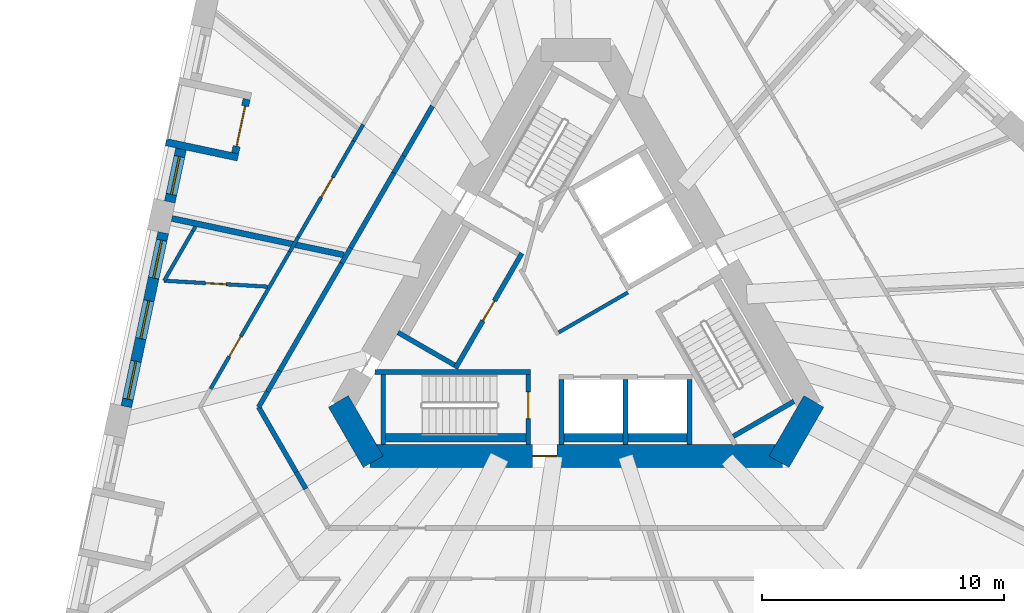
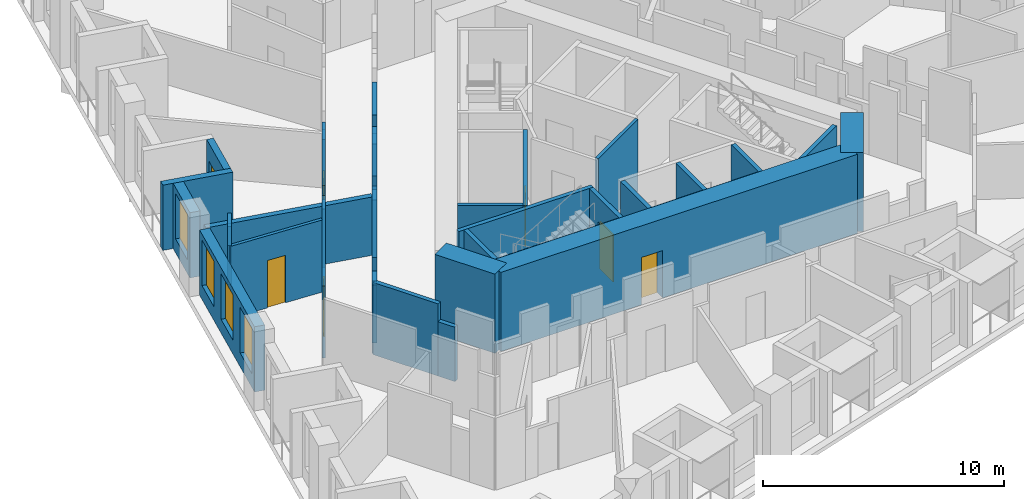
# One storey, part 4 of 12: 36 walls, 7 doors, 4 windows, 11 openings.
"""IFC4 building model written with IfcOpenShell, lengths in metres."""

import ifcopenshell
import ifcopenshell.guid

model = None  # the IFC model being written
_history = None  # IfcOwnerHistory: only IFC2X3 demands one
_inside = {}  # id of a spatial element -> (the spatial element, [elements in it])
_under = {}  # id of a project, library or spatial element -> (it, [spatial elements below it])
_declared = {}  # id of a project -> (the project, [libraries it declares])
_typed = {}  # id of a type object -> (the type object, [elements of that type])
_made_of = {}  # id of a material, layer set ... -> (it, [elements and type objects made of it])


def new_model(schema):
    """Start an empty IFC model of exactly this schema.

    Asked for "IFC4X3", IfcOpenShell would pick the latest addendum, in which some entities
    have other attributes; the version numbers below select the first issue.
    IFC2X3 requires an IfcOwnerHistory on every rooted entity: one is made here for all.
    """
    global model, _history
    if schema == "IFC4X3":
        model = ifcopenshell.file(schema_version=(4, 3, 0, 0))
    else:
        model = ifcopenshell.file(schema=schema)
    _inside.clear()
    _under.clear()
    _declared.clear()
    _typed.clear()
    _made_of.clear()
    _history = None
    if model.schema == "IFC2X3":
        org = make("IfcOrganization", Name="unknown")
        user = make(
            "IfcPersonAndOrganization",
            ThePerson=make("IfcPerson", FamilyName="unknown"),
            TheOrganization=org,
        )
        app = make(
            "IfcApplication",
            ApplicationDeveloper=org,
            Version="unknown",
            ApplicationFullName="unknown",
            ApplicationIdentifier="unknown",
        )
        _history = make(
            "IfcOwnerHistory",
            OwningUser=user,
            OwningApplication=app,
            ChangeAction="ADDED",
            CreationDate=0,
        )
    return model


def make(cls, **values):
    """One entity of the class cls with the attributes given. An attribute that is None is left unset."""
    return model.create_entity(
        cls, **{name: value for name, value in values.items() if value is not None}
    )


def rooted(cls, **values):
    """An entity with a GlobalId (a new one), such as an element, a storey or a relation."""
    return make(cls, GlobalId=ifcopenshell.guid.new(), OwnerHistory=_history, **values)


def si_unit(unit_type, name, prefix=None):
    """IfcSIUnit, for example si_unit("LENGTHUNIT", "METRE", prefix="MILLI")."""
    return make("IfcSIUnit", UnitType=unit_type, Prefix=prefix, Name=name)


def assignment(units):
    """IfcUnitAssignment: the units of a project."""
    return None if units is None else make("IfcUnitAssignment", Units=units)


def point(xyz):
    """IfcCartesianPoint."""
    return None if xyz is None else make("IfcCartesianPoint", Coordinates=xyz)


def direction(xyz):
    """IfcDirection."""
    return None if xyz is None else make("IfcDirection", DirectionRatios=xyz)


def frame(location, z_axis=None, x_axis=None):
    """IfcAxis2Placement3D, a coordinate frame: its origin and axes. An axis left out is left unset."""
    return make(
        "IfcAxis2Placement3D",
        Location=point(location),
        Axis=direction(z_axis),
        RefDirection=direction(x_axis),
    )


def frame_2d(location, x_axis=None):
    """IfcAxis2Placement2D, a coordinate frame in the plane: its origin and x axis."""
    return make(
        "IfcAxis2Placement2D", Location=point(location), RefDirection=direction(x_axis)
    )


def origin():
    """The frame at (0, 0, 0) with its axes left unset."""
    return frame((0.0, 0.0, 0.0))


def place(relative_to, where):
    """IfcLocalPlacement: puts the frame where relative to a parent placement (None: the world)."""
    return make(
        "IfcLocalPlacement", PlacementRelTo=relative_to, RelativePlacement=where
    )


def context(
    kind, dimensions, precision=None, world=None, true_north=None, identifier=None
):
    """IfcGeometricRepresentationContext, for example the 3D "Model" context."""
    return make(
        "IfcGeometricRepresentationContext",
        ContextIdentifier=identifier,
        ContextType=kind,
        CoordinateSpaceDimension=dimensions,
        Precision=precision,
        WorldCoordinateSystem=world,
        TrueNorth=true_north,
    )


def subcontext(parent, identifier, kind, view, scale=None):
    """IfcGeometricRepresentationSubContext, for example "Body" below "Model"."""
    return make(
        "IfcGeometricRepresentationSubContext",
        ContextIdentifier=identifier,
        ContextType=kind,
        ParentContext=parent,
        TargetScale=scale,
        TargetView=view,
    )


def project(units=None, contexts=None):
    """IfcProject with its units and contexts."""
    return rooted(
        "IfcProject",
        Name="project",
        RepresentationContexts=contexts,
        UnitsInContext=assignment(units),
    )


def spatial(cls, under=None, at=None, **own):
    """A site, building, storey or space (cls), placed at a placement, below another one or the project."""
    s = rooted(cls, ObjectPlacement=at, **own)
    if under is not None:
        _under.setdefault(under.id(), (under, []))[1].append(s)
    return s


def profile(cls, at=None, kind="AREA", **sizes):
    """A parametric profile (cls). Its sizes go by their IFC names, for example OverallWidth=200.0."""
    return make(cls, ProfileType=kind, Position=at, **sizes)


def rectangle(**sizes):
    """IfcRectangleProfileDef."""
    return profile("IfcRectangleProfileDef", **sizes)


def extrude(swept, where, along, depth):
    """IfcExtrudedAreaSolid: the profile swept, set in the frame where, extruded along a direction by depth."""
    return make(
        "IfcExtrudedAreaSolid",
        SweptArea=swept,
        Position=where,
        ExtrudedDirection=direction(along),
        Depth=depth,
    )


def shape(context_of_items, identifier, shape_type, items):
    """IfcShapeRepresentation: the items that make up one representation, for example the "Body"."""
    return make(
        "IfcShapeRepresentation",
        ContextOfItems=context_of_items,
        RepresentationIdentifier=identifier,
        RepresentationType=shape_type,
        Items=items,
    )


def material(Name=None, Category=None):
    """IfcMaterial."""
    return make("IfcMaterial", Name=Name, Category=Category)


def layer(
    of_material, thickness, ventilated=None, Name=None, Category=None, Priority=None
):
    """IfcMaterialLayer: one layer of a wall or slab, of a material (None: an air gap)."""
    return make(
        "IfcMaterialLayer",
        Material=of_material,
        LayerThickness=thickness,
        IsVentilated=ventilated,
        Name=Name,
        Category=Category,
        Priority=Priority,
    )


def layer_set(layers, Name=None):
    """IfcMaterialLayerSet."""
    return make("IfcMaterialLayerSet", MaterialLayers=layers, LayerSetName=Name)


def made_of(thing, what):
    """Note that an element or type object is made of a material, layer set ...; save() writes the relation."""
    if what is not None:
        _made_of.setdefault(what.id(), (what, []))[1].append(thing)
    return thing


def type_object(cls, material=None, **own):
    """A type object (cls), such as IfcWallType, which elements share."""
    return made_of(rooted(cls, **own), material)


def element(
    cls,
    number,
    at=None,
    inside=None,
    cuts=None,
    type_object=None,
    material=None,
    context=None,
    identifier="Body",
    shape_type=None,
    held_by="IfcProductDefinitionShape",
    body=None,
    shapes=None,
    **own,
):
    """One element of the class cls, such as IfcWall. Its Tag is "e" and its number.

    at: its placement. inside: the storey or other place that contains it. cuts: it is an
    opening in that element (IfcRelVoidsElement). A single representation is given by context,
    identifier, shape_type and body (its items); several are given by shapes. held_by: the class
    of the entity that holds the representations. save() writes the other relations.
    """
    e = rooted(cls, Tag="e%d" % number, ObjectPlacement=at, **own)
    if body is not None:
        shapes = [shape(context, identifier, shape_type, body)]
    if shapes is not None:
        e.Representation = make(held_by, Representations=shapes)
    if inside is not None:
        _inside.setdefault(inside.id(), (inside, []))[1].append(e)
    if cuts is not None:
        rooted(
            "IfcRelVoidsElement", RelatingBuildingElement=cuts, RelatedOpeningElement=e
        )
    if type_object is not None:
        _typed.setdefault(type_object.id(), (type_object, []))[1].append(e)
    return made_of(e, material)


def fill(opening, filler):
    """IfcRelFillsElement: the door or window that sits in an opening."""
    return rooted(
        "IfcRelFillsElement",
        RelatingOpeningElement=opening,
        RelatedBuildingElement=filler,
    )


def aggregate(whole, parts):
    """IfcRelAggregates: a whole, such as a stair, and the parts it consists of."""
    return rooted("IfcRelAggregates", RelatingObject=whole, RelatedObjects=parts)


def save(model, path):
    """Write the relations noted so far, then the file.

    IfcRelAggregates (storeys below a building ...), IfcRelContainedInSpatialStructure (elements
    in a storey), IfcRelDefinesByType, IfcRelAssociatesMaterial and IfcRelDeclares: one each for
    every whole, place, type object, material and project.
    """
    for whole, parts in _under.values():
        aggregate(whole, parts)
    for where, things in _inside.values():
        rooted(
            "IfcRelContainedInSpatialStructure",
            RelatedElements=things,
            RelatingStructure=where,
        )
    for kind, things in _typed.values():
        rooted("IfcRelDefinesByType", RelatedObjects=things, RelatingType=kind)
    for what, things in _made_of.values():
        rooted("IfcRelAssociatesMaterial", RelatedObjects=things, RelatingMaterial=what)
    for by, libraries in _declared.values():
        rooted("IfcRelDeclares", RelatingContext=by, RelatedDefinitions=libraries)
    model.write(path)


model = new_model("IFC4")

# Units and contexts
model_context = context("Model", 3, precision=1e-05, world=origin(), true_north=direction((0.0, 1.0)))
body_context = subcontext(model_context, "Body", "Model", "MODEL_VIEW")
ifc_project = project(units=[si_unit("LENGTHUNIT", "METRE"), si_unit("AREAUNIT", "SQUARE_METRE"), si_unit("VOLUMEUNIT", "CUBIC_METRE"), si_unit("PLANEANGLEUNIT", "RADIAN"), si_unit("MASSUNIT", "GRAM", prefix="KILO")], contexts=[model_context])

# Site, building, storey
site_placement = place(None, origin())
site = spatial("IfcSite", under=ifc_project, at=site_placement, CompositionType="ELEMENT")
building_placement = place(site_placement, origin())
building = spatial("IfcBuilding", under=site, at=building_placement, Name="Tramontana Tower", CompositionType="ELEMENT")
storey_placement = place(building_placement, frame((0.0, 0.0, 96.39990234375)))
storey = spatial("IfcBuildingStorey", under=building, at=storey_placement, Name="L21", CompositionType="ELEMENT", Elevation=96.39990234375)

# Wall
ifc_material_1 = material(Name="Concrete 70 MPa", Category="concrete")
ifc_layer_1 = layer(ifc_material_1, 0.949951171875)
ifc_layer_set_1 = layer_set([ifc_layer_1], Name="Core wall 950 70 MPa")
wall_type_1 = type_object("IfcWallType", Name="Core wall 950 70 MPa", PredefinedType="SHEAR", material=ifc_layer_set_1)
wall_1_placement = place(storey_placement, frame((-9.836669921875, -4.012451171875, 0.0), z_axis=(0.0, 0.0, 1.0), x_axis=(0.499995765644, -0.866027848477, 0.0)))
element("IfcWall", 1, at=wall_1_placement, inside=storey, type_object=wall_type_1, Name="Core wall C2 L21", PredefinedType="SHEAR", context=body_context, shape_type="SweptSolid", body=[
    extrude(rectangle(XDim=2.88671875, YDim=0.949951171875, at=frame_2d((1.443359375, 0.0))), origin(), (0.0, 0.0, 1.0), 4.0),
])

# Wall, opening, door
wall_2_placement = place(storey_placement, frame((-8.530517578125, -6.27490234375, 0.0), z_axis=(0.0, 0.0, 1.0), x_axis=(1.0, 0.0, 0.0)))
wall_2 = element("IfcWall", 2, at=wall_2_placement, inside=storey, type_object=wall_type_1, Name="Core wall C3 L21", PredefinedType="SHEAR", context=body_context, shape_type="SweptSolid", body=[
    extrude(rectangle(XDim=17.06103515625, YDim=0.949951171875, at=frame_2d((8.530517578125, 0.0))), origin(), (0.0, 0.0, 1.0), 4.0),
])
opening_1_placement = place(wall_2_placement, frame((6.7353515625, 0.0, 0.0)))
opening_1 = element("IfcOpeningElement", 3, at=opening_1_placement, cuts=wall_2, Name="Opening RG2", PredefinedType="OPENING", context=body_context, shape_type="SweptSolid", body=[
    extrude(rectangle(XDim=1.0, YDim=2.39990234375, at=frame_2d((0.5, 1.199951171875))), frame((0.0, 0.48486328125, 0.0), z_axis=(0.0, -1.0, 0.0), x_axis=(1.0, 0.0, 0.0)), (0.0, 0.0, 1.0), 0.969970703125),
])
ifc_material_2 = material(Name="Painted steel", Category="steel")
door_type_1 = type_object("IfcDoorType", Name="RING DOOR 1000", OperationType="SINGLE_SWING_LEFT", PredefinedType="DOOR", material=ifc_material_2)
door_1_placement = place(opening_1_placement, origin())
door_1 = element("IfcDoor", 4, at=door_1_placement, inside=storey, type_object=door_type_1, Name="Door RG2", OperationType="SINGLE_SWING_RIGHT", OverallHeight=2.39990234375, OverallWidth=1.0, PredefinedType="DOOR", context=body_context, shape_type="SweptSolid", body=[
    extrude(rectangle(XDim=1.0, YDim=2.39990234375, at=frame_2d((0.5, 1.199951171875))), frame((0.0, 0.02490234375, 0.0), z_axis=(0.0, -1.0, 0.0), x_axis=(1.0, 0.0, 0.0)), (0.0, 0.0, 1.0), 0.050048828125),
])
fill(opening_1, door_1)

# Walls
wall_3_placement = place(storey_placement, frame((8.393310546875, -6.512451171875, 0.0), z_axis=(0.0, 0.0, 1.0), x_axis=(0.499995765644, 0.866027848477, 0.0)))
element("IfcWall", 5, at=wall_3_placement, inside=storey, type_object=wall_type_1, Name="Core wall C4 L21", PredefinedType="SHEAR", context=body_context, shape_type="SweptSolid", body=[
    extrude(rectangle(XDim=2.88671875, YDim=0.949951171875, at=frame_2d((1.443359375, 0.0))), origin(), (0.0, 0.0, 1.0), 4.0),
])
ifc_material_3 = material(Name="Blockwork", Category="masonry")
ifc_layer_2 = layer(ifc_material_3, 0.199951171875)
ifc_layer_set_2 = layer_set([ifc_layer_2], Name="ENTRY WALL 200")
wall_type_2 = type_object("IfcWallType", Name="ENTRY WALL 200", PredefinedType="SOLIDWALL", material=ifc_layer_set_2)
wall_4_placement = place(storey_placement, frame((-11.181884765625, -7.63232421875, 0.0), z_axis=(0.0, 0.0, 1.0), x_axis=(-0.499942357345, 0.866058681229, 0.0)))
element("IfcWall", 6, at=wall_4_placement, inside=storey, type_object=wall_type_2, Name="Wall v20-ew3-2", PredefinedType="SOLIDWALL", context=body_context, shape_type="SweptSolid", body=[
    extrude(rectangle(XDim=0.80078125, YDim=0.199951171875, at=frame_2d((0.400390625, 0.0))), origin(), (0.0, 0.0, 1.0), 2.75),
])
wall_5_placement = place(storey_placement, frame((-11.582275390625, -6.938720703125, 0.0), z_axis=(0.0, 0.0, 1.0), x_axis=(-0.500037831766, 0.866003560503, 0.0)))
element("IfcWall", 7, at=wall_5_placement, inside=storey, type_object=wall_type_2, Name="Wall v20-ew3-3", PredefinedType="SOLIDWALL", context=body_context, shape_type="SweptSolid", body=[
    extrude(rectangle(XDim=3.104736328125, YDim=0.199951171875, at=frame_2d((1.55224609375, 0.0))), origin(), (0.0, 0.0, 1.0), 3.650146484375),
])
wall_6_placement = place(storey_placement, frame((-13.134765625, -4.25, 0.0), z_axis=(0.0, 0.0, 1.0), x_axis=(0.499987686533, 0.866032512851, 0.0)))
element("IfcWall", 8, at=wall_6_placement, inside=storey, type_object=wall_type_2, Name="Wall v20-ew4-0", PredefinedType="SOLIDWALL", context=body_context, shape_type="SweptSolid", body=[
    extrude(rectangle(XDim=0.74365234375, YDim=0.199951171875, at=frame_2d((0.371826171875, 0.0))), origin(), (0.0, 0.0, 1.0), 3.650146484375),
])
wall_7_placement = place(storey_placement, frame((-12.762939453125, -3.60595703125, 0.0), z_axis=(0.0, 0.0, 1.0), x_axis=(0.500061185694, 0.865990075325, 0.0)))
element("IfcWall", 9, at=wall_7_placement, inside=storey, type_object=wall_type_2, Name="Wall v20-ew4-1", PredefinedType="SOLIDWALL", context=body_context, shape_type="SweptSolid", body=[
    extrude(rectangle(XDim=0.9775390625, YDim=0.199951171875, at=frame_2d((0.48876953125, 0.0))), origin(), (0.0, 0.0, 1.0), 2.9501953125),
])
wall_8_placement = place(storey_placement, frame((-12.274169921875, -2.759521484375, 0.0), z_axis=(0.0, 0.0, 1.0), x_axis=(0.500001317485, 0.866024643133, 0.0)))
element("IfcWall", 10, at=wall_8_placement, inside=storey, type_object=wall_type_2, Name="Wall v20-ew4-2", PredefinedType="SOLIDWALL", context=body_context, shape_type="SweptSolid", body=[
    extrude(rectangle(XDim=5.1533203125, YDim=0.199951171875, at=frame_2d((2.57666015625, 0.0))), origin(), (0.0, 0.0, 1.0), 3.650146484375),
])
wall_9_placement = place(storey_placement, frame((-9.697509765625, 1.703369140625, 0.0), z_axis=(0.0, 0.0, 1.0), x_axis=(0.499885169746, 0.866091690913, 0.0)))
element("IfcWall", 11, at=wall_9_placement, inside=storey, type_object=wall_type_2, Name="Wall v20-ew4-3", PredefinedType="SOLIDWALL", context=body_context, shape_type="SweptSolid", body=[
    extrude(rectangle(XDim=0.736083984375, YDim=0.199951171875, at=frame_2d((0.3681640625, 0.0))), origin(), (0.0, 0.0, 1.0), 2.9501953125),
])
wall_10_placement = place(storey_placement, frame((-9.32958984375, 2.3408203125, 0.0), z_axis=(0.0, 0.0, 1.0), x_axis=(0.500029679218, 0.866008267802, 0.0)))
element("IfcWall", 12, at=wall_10_placement, inside=storey, type_object=wall_type_2, Name="Wall v20-ew4-4", PredefinedType="SOLIDWALL", context=body_context, shape_type="SweptSolid", body=[
    extrude(rectangle(XDim=3.576904296875, YDim=0.199951171875, at=frame_2d((1.78857421875, 0.0))), origin(), (0.0, 0.0, 1.0), 3.650146484375),
])
wall_11_placement = place(storey_placement, frame((-7.541015625, 5.4384765625, 0.0), z_axis=(0.0, 0.0, 1.0), x_axis=(0.499809598504, 0.866135304236, 0.0)))
element("IfcWall", 13, at=wall_11_placement, inside=storey, type_object=wall_type_2, Name="Wall v20-ew4-5", PredefinedType="SOLIDWALL", context=body_context, shape_type="SweptSolid", body=[
    extrude(rectangle(XDim=0.808349609375, YDim=0.199951171875, at=frame_2d((0.404296875, 0.0))), origin(), (0.0, 0.0, 1.0), 2.75),
])
wall_12_placement = place(storey_placement, frame((-7.136962890625, 6.138671875, 0.0), z_axis=(0.0, 0.0, 1.0), x_axis=(0.500035462246, 0.866004928679, 0.0)))
element("IfcWall", 14, at=wall_12_placement, inside=storey, type_object=wall_type_2, Name="Wall v20-ew4-6", PredefinedType="SOLIDWALL", context=body_context, shape_type="SweptSolid", body=[
    extrude(rectangle(XDim=2.385498046875, YDim=0.199951171875, at=frame_2d((1.19287109375, 0.0))), origin(), (0.0, 0.0, 1.0), 3.650146484375),
])

# Wall, opening, window
ifc_material_4 = material(Name="Precast concrete 60 MPa", Category="concrete")
ifc_layer_3 = layer(ifc_material_4, 0.449951171875)
ifc_layer_set_3 = layer_set([ifc_layer_3], Name="Precast concrete 60 MPa, 450 mm")
wall_type_3 = type_object("IfcWallType", Name="EW1 Stone-faced precast wall 450", PredefinedType="SOLIDWALL", material=ifc_layer_set_3)
wall_13_placement = place(storey_placement, frame((-16.34619140625, 6.42578125, 0.0), z_axis=(0.0, 0.0, 1.0), x_axis=(-0.207918801611, -0.978146089261, 0.0)))
wall_13 = element("IfcWall", 15, at=wall_13_placement, inside=storey, type_object=wall_type_3, Name="External wall L21 face 0 bay 3", PredefinedType="SOLIDWALL", context=body_context, shape_type="SweptSolid", body=[
    extrude(rectangle(XDim=2.23681640625, YDim=0.449951171875, at=frame_2d((1.118408203125, 0.0))), origin(), (0.0, 0.0, 1.0), 3.300048828125),
])
opening_2_placement = place(wall_13_placement, frame((0.318359375, 0.0, 0.699951171875)))
opening_2 = element("IfcOpeningElement", 16, at=opening_2_placement, cuts=wall_13, Name="Opening M1", PredefinedType="OPENING", context=body_context, shape_type="SweptSolid", body=[
    extrude(rectangle(XDim=1.60009765625, YDim=2.300048828125, at=frame_2d((0.800048828125, 1.14990234375))), frame((0.0, 0.23486328125, 0.0), z_axis=(0.0, -1.0, 0.0), x_axis=(1.0, 0.0, 0.0)), (0.0, 0.0, 1.0), 0.469970703125),
])
ifc_material_5 = material(Name="Aluminum frame, double glazing unit", Category="aluminium")
window_type = type_object("IfcWindowType", Name="M1 Window 1.6 x 2.3", PartitioningType="SINGLE_PANEL", PredefinedType="WINDOW", material=ifc_material_5)
window_1_placement = place(opening_2_placement, origin())
window_1 = element("IfcWindow", 17, at=window_1_placement, inside=storey, type_object=window_type, Name="Window M1 L21 face 0 module 9", OverallHeight=2.300048828125, OverallWidth=1.60009765625, PartitioningType="SINGLE_PANEL", PredefinedType="WINDOW", context=body_context, shape_type="SweptSolid", body=[
    extrude(rectangle(XDim=1.60009765625, YDim=2.300048828125, at=frame_2d((0.800048828125, 1.14990234375))), frame((0.0, 0.030029296875, 0.0), z_axis=(0.0, -1.0, 0.0), x_axis=(1.0, 0.0, 0.0)), (0.0, 0.0, 1.0), 0.06005859375),
])
fill(opening_2, window_1)

# Wall, openings, windows
wall_14_placement = place(storey_placement, frame((-17.08154296875, 2.96630859375, 0.0), z_axis=(0.0, 0.0, 1.0), x_axis=(-0.207909137741, -0.978148143403, 0.0)))
wall_14 = element("IfcWall", 18, at=wall_14_placement, inside=storey, type_object=wall_type_3, Name="External wall L21 face 0 bay 4", PredefinedType="SOLIDWALL", context=body_context, shape_type="SweptSolid", body=[
    extrude(rectangle(XDim=7.3603515625, YDim=0.449951171875, at=frame_2d((3.68017578125, 0.0))), origin(), (0.0, 0.0, 1.0), 3.300048828125),
])
opening_3_placement = place(wall_14_placement, frame((0.318359375, 0.0, 0.699951171875)))
opening_3 = element("IfcOpeningElement", 19, at=opening_3_placement, cuts=wall_14, Name="Opening M1", PredefinedType="OPENING", context=body_context, shape_type="SweptSolid", body=[
    extrude(rectangle(XDim=1.60009765625, YDim=2.300048828125, at=frame_2d((0.800048828125, 1.14990234375))), frame((0.0, 0.23486328125, 0.0), z_axis=(0.0, -1.0, 0.0), x_axis=(1.0, 0.0, 0.0)), (0.0, 0.0, 1.0), 0.469970703125),
])
opening_4_placement = place(wall_14_placement, frame((2.880126953125, 0.0, 0.699951171875)))
opening_4 = element("IfcOpeningElement", 20, at=opening_4_placement, cuts=wall_14, Name="Opening M1", PredefinedType="OPENING", context=body_context, shape_type="SweptSolid", body=[
    extrude(rectangle(XDim=1.60009765625, YDim=2.300048828125, at=frame_2d((0.800048828125, 1.14990234375))), frame((0.0, 0.23486328125, 0.0), z_axis=(0.0, -1.0, 0.0), x_axis=(1.0, 0.0, 0.0)), (0.0, 0.0, 1.0), 0.469970703125),
])
opening_5_placement = place(wall_14_placement, frame((5.44189453125, 0.0, 0.699951171875)))
opening_5 = element("IfcOpeningElement", 21, at=opening_5_placement, cuts=wall_14, Name="Opening M1", PredefinedType="OPENING", context=body_context, shape_type="SweptSolid", body=[
    extrude(rectangle(XDim=1.60009765625, YDim=2.300048828125, at=frame_2d((0.800048828125, 1.14990234375))), frame((0.0, 0.23486328125, 0.0), z_axis=(0.0, -1.0, 0.0), x_axis=(1.0, 0.0, 0.0)), (0.0, 0.0, 1.0), 0.469970703125),
])
window_2_placement = place(opening_3_placement, origin())
window_2 = element("IfcWindow", 22, at=window_2_placement, inside=storey, type_object=window_type, Name="Window M1 L21 face 0 module 10", OverallHeight=2.300048828125, OverallWidth=1.60009765625, PartitioningType="SINGLE_PANEL", PredefinedType="WINDOW", context=body_context, shape_type="SweptSolid", body=[
    extrude(rectangle(XDim=1.60009765625, YDim=2.300048828125, at=frame_2d((0.800048828125, 1.14990234375))), frame((0.0, 0.030029296875, 0.0), z_axis=(0.0, -1.0, 0.0), x_axis=(1.0, 0.0, 0.0)), (0.0, 0.0, 1.0), 0.06005859375),
])
fill(opening_3, window_2)
window_3_placement = place(opening_4_placement, origin())
window_3 = element("IfcWindow", 23, at=window_3_placement, inside=storey, type_object=window_type, Name="Window M1 L21 face 0 module 11", OverallHeight=2.300048828125, OverallWidth=1.60009765625, PartitioningType="SINGLE_PANEL", PredefinedType="WINDOW", context=body_context, shape_type="SweptSolid", body=[
    extrude(rectangle(XDim=1.60009765625, YDim=2.300048828125, at=frame_2d((0.800048828125, 1.14990234375))), frame((0.0, 0.030029296875, 0.0), z_axis=(0.0, -1.0, 0.0), x_axis=(1.0, 0.0, 0.0)), (0.0, 0.0, 1.0), 0.06005859375),
])
fill(opening_4, window_3)
window_4_placement = place(opening_5_placement, origin())
window_4 = element("IfcWindow", 24, at=window_4_placement, inside=storey, type_object=window_type, Name="Window M1 L21 face 0 module 12", OverallHeight=2.300048828125, OverallWidth=1.60009765625, PartitioningType="SINGLE_PANEL", PredefinedType="WINDOW", context=body_context, shape_type="SweptSolid", body=[
    extrude(rectangle(XDim=1.60009765625, YDim=2.300048828125, at=frame_2d((0.800048828125, 1.14990234375))), frame((0.0, 0.030029296875, 0.0), z_axis=(0.0, -1.0, 0.0), x_axis=(1.0, 0.0, 0.0)), (0.0, 0.0, 1.0), 0.06005859375),
])
fill(opening_5, window_4)

# Wall, opening, door
ifc_material_6 = material(Name="Precast concrete 60 MPa", Category="concrete")
ifc_layer_4 = layer(ifc_material_6, 0.300048828125)
ifc_layer_set_4 = layer_set([ifc_layer_4], Name="LW1 Stone-faced loggia wall 300")
wall_type_4 = type_object("IfcWallType", Name="LW1 Stone-faced loggia wall 300", PredefinedType="SOLIDWALL", material=ifc_layer_set_4)
wall_15_placement = place(storey_placement, frame((-13.632080078125, 8.493408203125, 0.0), z_axis=(0.0, 0.0, 1.0), x_axis=(-0.207866417042, -0.978157222877, 0.0)))
wall_15 = element("IfcWall", 25, at=wall_15_placement, inside=storey, type_object=wall_type_4, Name="Loggia wall L21 G2S0.7", PredefinedType="SOLIDWALL", context=body_context, shape_type="SweptSolid", body=[
    extrude(rectangle(XDim=2.286865234375, YDim=0.300048828125, at=frame_2d((1.1435546875, 0.0))), origin(), (0.0, 0.0, 1.0), 3.300048828125),
])
opening_6_placement = place(wall_15_placement, frame((0.29345703125, 0.0, 0.0)))
opening_6 = element("IfcOpeningElement", 26, at=opening_6_placement, cuts=wall_15, Name="Opening BD-2S0-07", PredefinedType="OPENING", context=body_context, shape_type="SweptSolid", body=[
    extrude(rectangle(XDim=1.699951171875, YDim=2.39990234375, at=frame_2d((0.85009765625, 1.199951171875))), frame((0.0, 0.159912109375, 0.0), z_axis=(0.0, -1.0, 0.0), x_axis=(1.0, 0.0, 0.0)), (0.0, 0.0, 1.0), 0.320068359375),
])
ifc_material_7 = material(Name="Aluminum frame, double glazing unit", Category="aluminium")
door_type_2 = type_object("IfcDoorType", Name="BD1 Sliding door 1.7 x 2.4", OperationType="SLIDING_TO_LEFT", PredefinedType="DOOR", material=ifc_material_7)
door_2_placement = place(opening_6_placement, origin())
door_2 = element("IfcDoor", 27, at=door_2_placement, inside=storey, type_object=door_type_2, Name="Loggia door L21 G2S0.7", OperationType="SLIDING_TO_LEFT", OverallHeight=2.39990234375, OverallWidth=1.699951171875, PredefinedType="DOOR", context=body_context, shape_type="SweptSolid", body=[
    extrude(rectangle(XDim=1.699951171875, YDim=2.39990234375, at=frame_2d((0.85009765625, 1.199951171875))), frame((0.0, 0.02490234375, 0.0), z_axis=(0.0, -1.0, 0.0), x_axis=(1.0, 0.0, 0.0)), (0.0, 0.0, 1.0), 0.050048828125),
])
fill(opening_6, door_2)

# Walls
wall_16_placement = place(storey_placement, frame((-16.975341796875, 6.712890625, 0.0), z_axis=(0.0, 0.0, 1.0), x_axis=(0.978138503145, -0.207954487003, 0.0)))
element("IfcWall", 28, at=wall_16_placement, inside=storey, type_object=wall_type_4, Name="Loggia return L21 G2S0.7b", PredefinedType="SOLIDWALL", context=body_context, shape_type="SweptSolid", body=[
    extrude(rectangle(XDim=3.050048828125, YDim=0.300048828125, at=frame_2d((1.52490234375, 0.0))), origin(), (0.0, 0.0, 1.0), 3.300048828125),
])
ifc_material_8 = material(Name="Gypsum board partition")
ifc_layer_5 = layer(ifc_material_8, 0.14990234375)
ifc_layer_set_5 = layer_set([ifc_layer_5], Name="PARTITION 150")
wall_type_5 = type_object("IfcWallType", Name="PARTITION 150", PredefinedType="PARTITIONING", material=ifc_layer_set_5)
wall_17_placement = place(storey_placement, frame((-0.716796875, -1.15869140625, 0.0), z_axis=(0.0, 0.0, 1.0), x_axis=(0.866008176907, 0.50002983664, 0.0)))
element("IfcWall", 29, at=wall_17_placement, inside=storey, type_object=wall_type_5, Name="Wall ff-end0", PredefinedType="PARTITIONING", context=body_context, shape_type="SweptSolid", body=[
    extrude(rectangle(XDim=3.300048828125, YDim=0.14990234375, at=frame_2d((1.64990234375, 0.0))), origin(), (0.0, 0.0, 1.0), 3.650146484375),
])
wall_18_placement = place(storey_placement, frame((-17.044189453125, 0.978515625, 0.0), z_axis=(0.0, 0.0, 1.0), x_axis=(0.499969694265, 0.866042900102, 0.0)))
element("IfcWall", 30, at=wall_18_placement, inside=storey, type_object=wall_type_5, Name="Wall v20-pw01-0", PredefinedType="PARTITIONING", context=body_context, shape_type="SweptSolid", body=[
    extrude(rectangle(XDim=2.364990234375, YDim=0.14990234375, at=frame_2d((1.1826171875, 0.0))), origin(), (0.0, 0.0, 1.0), 3.650146484375),
])
wall_19_placement = place(storey_placement, frame((-15.86181640625, 3.026611328125, 0.0), z_axis=(0.0, 0.0, 1.0), x_axis=(0.500605348058, 0.865675623716, 0.0)))
element("IfcWall", 31, at=wall_19_placement, inside=storey, type_object=wall_type_5, Name="Wall v20-pw01-1", PredefinedType="PARTITIONING", context=body_context, shape_type="SweptSolid", body=[
    extrude(rectangle(XDim=0.223388671875, YDim=0.14990234375, at=frame_2d((0.11181640625, 0.0))), origin(), (0.0, 0.0, 1.0), 2.9501953125),
])

# Wall, opening, door
wall_20_placement = place(storey_placement, frame((-15.125, -3.4970703125, 0.0), z_axis=(0.0, 0.0, 1.0), x_axis=(0.500008610982, 0.866020432175, 0.0)))
wall_20 = element("IfcWall", 32, at=wall_20_placement, inside=storey, type_object=wall_type_5, Name="Wall v20-pw02-1", PredefinedType="PARTITIONING", context=body_context, shape_type="SweptSolid", body=[
    extrude(rectangle(XDim=6.54833984375, YDim=0.14990234375, at=frame_2d((3.274169921875, 0.0))), origin(), (0.0, 0.0, 1.0), 3.650146484375),
])
opening_7_placement = place(wall_20_placement, frame((1.55126953125, 0.0, 0.0)))
opening_7 = element("IfcOpeningElement", 33, at=opening_7_placement, cuts=wall_20, Name="Opening B2A-11", PredefinedType="OPENING", context=body_context, shape_type="SweptSolid", body=[
    extrude(rectangle(XDim=0.949951171875, YDim=2.39990234375, at=frame_2d((0.47509765625, 1.199951171875))), frame((0.0, 0.0849609375, 0.0), z_axis=(0.0, -1.0, 0.0), x_axis=(1.0, 0.0, 0.0)), (0.0, 0.0, 1.0), 0.169921875),
])
ifc_material_9 = material(Name="Painted timber", Category="wood")
door_type_3 = type_object("IfcDoorType", Name="DOOR ROOM 950", OperationType="SINGLE_SWING_LEFT", PredefinedType="DOOR", material=ifc_material_9)
door_3_placement = place(opening_7_placement, origin())
door_3 = element("IfcDoor", 34, at=door_3_placement, inside=storey, type_object=door_type_3, Name="Door B2A-11", OperationType="SINGLE_SWING_LEFT", OverallHeight=2.39990234375, OverallWidth=0.949951171875, PredefinedType="DOOR", context=body_context, shape_type="SweptSolid", body=[
    extrude(rectangle(XDim=0.949951171875, YDim=2.39990234375, at=frame_2d((0.47509765625, 1.199951171875))), frame((0.0, 0.02490234375, 0.0), z_axis=(0.0, -1.0, 0.0), x_axis=(1.0, 0.0, 0.0)), (0.0, 0.0, 1.0), 0.050048828125),
])
fill(opening_7, door_3)

# Wall
wall_21_placement = place(storey_placement, frame((-11.850830078125, 2.173828125, 0.0), z_axis=(0.0, 0.0, 1.0), x_axis=(0.500059846627, 0.865990848561, 0.0)))
element("IfcWall", 35, at=wall_21_placement, inside=storey, type_object=wall_type_5, Name="Wall v20-pw02-2", PredefinedType="PARTITIONING", context=body_context, shape_type="SweptSolid", body=[
    extrude(rectangle(XDim=0.7099609375, YDim=0.14990234375, at=frame_2d((0.35498046875, 0.0))), origin(), (0.0, 0.0, 1.0), 2.9501953125),
])

# Wall, opening, door
wall_22_placement = place(storey_placement, frame((-11.495849609375, 2.78857421875, 0.0), z_axis=(0.0, 0.0, 1.0), x_axis=(0.499983361514, 0.866035009806, 0.0)))
wall_22 = element("IfcWall", 36, at=wall_22_placement, inside=storey, type_object=wall_type_5, Name="Wall v20-pw02-3", PredefinedType="PARTITIONING", context=body_context, shape_type="SweptSolid", body=[
    extrude(rectangle(XDim=4.590087890625, YDim=0.14990234375, at=frame_2d((2.294921875, 0.0))), origin(), (0.0, 0.0, 1.0), 3.650146484375),
])
opening_8_placement = place(wall_22_placement, frame((1.900146484375, 0.0, 0.0)))
opening_8 = element("IfcOpeningElement", 37, at=opening_8_placement, cuts=wall_22, Name="Opening B2A-06", PredefinedType="OPENING", context=body_context, shape_type="SweptSolid", body=[
    extrude(rectangle(XDim=0.949951171875, YDim=2.39990234375, at=frame_2d((0.47509765625, 1.199951171875))), frame((0.0, 0.0849609375, 0.0), z_axis=(0.0, -1.0, 0.0), x_axis=(1.0, 0.0, 0.0)), (0.0, 0.0, 1.0), 0.169921875),
])
door_4_placement = place(opening_8_placement, origin())
door_4 = element("IfcDoor", 38, at=door_4_placement, inside=storey, type_object=door_type_3, Name="Door B2A-06", OperationType="SINGLE_SWING_RIGHT", OverallHeight=2.39990234375, OverallWidth=0.949951171875, PredefinedType="DOOR", context=body_context, shape_type="SweptSolid", body=[
    extrude(rectangle(XDim=0.949951171875, YDim=2.39990234375, at=frame_2d((0.47509765625, 1.199951171875))), frame((0.0, 0.02490234375, 0.0), z_axis=(0.0, -1.0, 0.0), x_axis=(1.0, 0.0, 0.0)), (0.0, 0.0, 1.0), 0.050048828125),
])
fill(opening_8, door_4)

# Wall
wall_23_placement = place(storey_placement, frame((-9.200927734375, 6.763671875, 0.0), z_axis=(0.0, 0.0, 1.0), x_axis=(0.500028278809, 0.866009076391, 0.0)))
element("IfcWall", 39, at=wall_23_placement, inside=storey, type_object=wall_type_5, Name="Wall v20-pw02-4", PredefinedType="PARTITIONING", context=body_context, shape_type="SweptSolid", body=[
    extrude(rectangle(XDim=0.783203125, YDim=0.14990234375, at=frame_2d((0.3916015625, 0.0))), origin(), (0.0, 0.0, 1.0), 2.75),
])

# Wall, opening, door
wall_24_placement = place(storey_placement, frame((-17.044189453125, 0.978515625, 0.0), z_axis=(0.0, 0.0, 1.0), x_axis=(0.998356921025, -0.057301468054, 0.0)))
wall_24 = element("IfcWall", 40, at=wall_24_placement, inside=storey, type_object=wall_type_5, Name="Wall v20-pw04", PredefinedType="PARTITIONING", context=body_context, shape_type="SweptSolid", body=[
    extrude(rectangle(XDim=4.281982421875, YDim=0.14990234375, at=frame_2d((2.14111328125, 0.0))), origin(), (0.0, 0.0, 1.0), 3.650146484375),
])
opening_9_placement = place(wall_24_placement, frame((1.716064453125, 0.0, 0.0)))
opening_9 = element("IfcOpeningElement", 41, at=opening_9_placement, cuts=wall_24, Name="Opening B2A-14", PredefinedType="OPENING", context=body_context, shape_type="SweptSolid", body=[
    extrude(rectangle(XDim=0.85009765625, YDim=2.39990234375, at=frame_2d((0.425048828125, 1.199951171875))), frame((0.0, 0.0849609375, 0.0), z_axis=(0.0, -1.0, 0.0), x_axis=(1.0, 0.0, 0.0)), (0.0, 0.0, 1.0), 0.169921875),
])
ifc_material_10 = material(Name="Painted timber", Category="wood")
door_type_4 = type_object("IfcDoorType", Name="DOOR BATH 850", OperationType="SINGLE_SWING_LEFT", PredefinedType="DOOR", material=ifc_material_10)
door_5_placement = place(opening_9_placement, origin())
door_5 = element("IfcDoor", 42, at=door_5_placement, inside=storey, type_object=door_type_4, Name="Door B2A-14", OperationType="SINGLE_SWING_RIGHT", OverallHeight=2.39990234375, OverallWidth=0.85009765625, PredefinedType="DOOR", context=body_context, shape_type="SweptSolid", body=[
    extrude(rectangle(XDim=0.85009765625, YDim=2.39990234375, at=frame_2d((0.425048828125, 1.199951171875))), frame((0.0, 0.02490234375, 0.0), z_axis=(0.0, -1.0, 0.0), x_axis=(1.0, 0.0, 0.0)), (0.0, 0.0, 1.0), 0.050048828125),
])
fill(opening_9, door_5)

# Walls
ifc_material_11 = material(Name="Blockwork", Category="masonry")
ifc_layer_6 = layer(ifc_material_11, 0.25)
ifc_layer_set_6 = layer_set([ifc_layer_6], Name="PARTY WALL 250")
wall_type_6 = type_object("IfcWallType", Name="PARTY WALL 250", PredefinedType="SOLIDWALL", material=ifc_layer_set_6)
wall_25_placement = place(storey_placement, frame((-9.616455078125, 2.0439453125, 0.0), z_axis=(0.0, 0.0, 1.0), x_axis=(-0.978148093834, 0.207909370951, 0.0)))
element("IfcWall", 43, at=wall_25_placement, inside=storey, type_object=wall_type_6, Name="Wall v20-pw08-0", PredefinedType="SOLIDWALL", context=body_context, shape_type="SweptSolid", body=[
    extrude(rectangle(XDim=7.268798828125, YDim=0.25, at=frame_2d((3.63427734375, 0.0))), origin(), (0.0, 0.0, 1.0), 2.9501953125),
])
ifc_material_12 = material(Name="Concrete 70 MPa", Category="concrete")
ifc_layer_7 = layer(ifc_material_12, 0.35009765625)
ifc_layer_set_7 = layer_set([ifc_layer_7], Name="Concrete 70 MPa, 350 mm")
wall_type_7 = type_object("IfcWallType", Name="RC SHAFT BACK WALL 350", PredefinedType="SOLIDWALL", material=ifc_layer_set_7)
wall_26_placement = place(storey_placement, frame((-8.080078125, -5.52490234375, 0.0), z_axis=(0.0, 0.0, 1.0), x_axis=(1.0, 0.0, 0.0)))
element("IfcWall", 44, at=wall_26_placement, inside=storey, type_object=wall_type_7, Name="Wall st2-back", PredefinedType="SOLIDWALL", context=body_context, shape_type="SweptSolid", body=[
    extrude(rectangle(XDim=6.2001953125, YDim=0.35009765625, at=frame_2d((3.10009765625, 0.0))), origin(), (0.0, 0.0, 1.0), 3.650146484375),
])
wall_27_placement = place(storey_placement, frame((-0.7099609375, -5.52490234375, 0.0), z_axis=(0.0, 0.0, 1.0), x_axis=(1.0, 0.0, 0.0)))
element("IfcWall", 45, at=wall_27_placement, inside=storey, type_object=wall_type_7, Name="Wall row1-back", PredefinedType="SOLIDWALL", context=body_context, shape_type="SweptSolid", body=[
    extrude(rectangle(XDim=5.5, YDim=0.35009765625, at=frame_2d((2.75, 0.0))), origin(), (0.0, 0.0, 1.0), 3.650146484375),
])
ifc_material_13 = material(Name="Concrete 70 MPa", Category="concrete")
ifc_layer_8 = layer(ifc_material_13, 0.199951171875)
ifc_layer_set_8 = layer_set([ifc_layer_8], Name="Concrete 70 MPa, 200 mm")
wall_type_8 = type_object("IfcWallType", Name="RC STAIR AND SHAFT WALL 200", PredefinedType="SOLIDWALL", material=ifc_layer_set_8)
wall_28_placement = place(storey_placement, frame((-8.31396484375, -2.800048828125, 0.0), z_axis=(0.0, 0.0, 1.0), x_axis=(1.0, 0.0, 0.0)))
element("IfcWall", 46, at=wall_28_placement, inside=storey, type_object=wall_type_8, Name="Wall st2-front", PredefinedType="SOLIDWALL", context=body_context, shape_type="SweptSolid", body=[
    extrude(rectangle(XDim=6.43408203125, YDim=0.199951171875, at=frame_2d((3.217041015625, 0.0))), origin(), (0.0, 0.0, 1.0), 3.650146484375),
])
wall_29_placement = place(storey_placement, frame((-7.97998046875, -2.89990234375, 0.0), z_axis=(0.0, 0.0, 1.0), x_axis=(0.0, -1.0, 0.0)))
element("IfcWall", 47, at=wall_29_placement, inside=storey, type_object=wall_type_8, Name="Wall st2-far", PredefinedType="SOLIDWALL", context=body_context, shape_type="SweptSolid", body=[
    extrude(rectangle(XDim=2.900146484375, YDim=0.199951171875, at=frame_2d((1.4501953125, 0.0))), origin(), (0.0, 0.0, 1.0), 3.650146484375),
])

# Wall, opening, door
wall_30_placement = place(storey_placement, frame((-1.97998046875, -2.89990234375, 0.0), z_axis=(0.0, 0.0, 1.0), x_axis=(0.0, -1.0, 0.0)))
wall_30 = element("IfcWall", 48, at=wall_30_placement, inside=storey, type_object=wall_type_8, Name="Wall st2-near", PredefinedType="SOLIDWALL", context=body_context, shape_type="SweptSolid", body=[
    extrude(rectangle(XDim=2.900146484375, YDim=0.199951171875, at=frame_2d((1.4501953125, 0.0))), origin(), (0.0, 0.0, 1.0), 3.650146484375),
])
opening_10_placement = place(wall_30_placement, frame((0.72509765625, 0.0, 0.0)))
opening_10 = element("IfcOpeningElement", 49, at=opening_10_placement, cuts=wall_30, Name="Opening SD2", PredefinedType="OPENING", context=body_context, shape_type="SweptSolid", body=[
    extrude(rectangle(XDim=1.10009765625, YDim=2.39990234375, at=frame_2d((0.550048828125, 1.199951171875))), frame((0.0, 0.10986328125, 0.0), z_axis=(0.0, -1.0, 0.0), x_axis=(1.0, 0.0, 0.0)), (0.0, 0.0, 1.0), 0.219970703125),
])
ifc_material_14 = material(Name="Painted steel", Category="steel")
door_type_5 = type_object("IfcDoorType", Name="STAIR DOOR 1100", OperationType="SINGLE_SWING_LEFT", PredefinedType="DOOR", material=ifc_material_14)
door_6_placement = place(opening_10_placement, origin())
door_6 = element("IfcDoor", 50, at=door_6_placement, inside=storey, type_object=door_type_5, Name="Door SD2", OperationType="SINGLE_SWING_LEFT", OverallHeight=2.39990234375, OverallWidth=1.10009765625, PredefinedType="DOOR", context=body_context, shape_type="SweptSolid", body=[
    extrude(rectangle(XDim=1.10009765625, YDim=2.39990234375, at=frame_2d((0.550048828125, 1.199951171875))), frame((0.0, 0.02490234375, 0.0), z_axis=(0.0, -1.0, 0.0), x_axis=(1.0, 0.0, 0.0)), (0.0, 0.0, 1.0), 0.050048828125),
])
fill(opening_10, door_6)

# Wall
wall_31_placement = place(storey_placement, frame((6.50146484375, -5.4609375, 0.0), z_axis=(0.0, 0.0, 1.0), x_axis=(0.866032775405, 0.499987231761, 0.0)))
element("IfcWall", 51, at=wall_31_placement, inside=storey, type_object=wall_type_8, Name="Wall st3-far", PredefinedType="SOLIDWALL", context=body_context, shape_type="SweptSolid", body=[
    extrude(rectangle(XDim=2.89990234375, YDim=0.199951171875, at=frame_2d((1.449951171875, 0.0))), origin(), (0.0, 0.0, 1.0), 3.650146484375),
])

# Wall, opening, door
wall_32_placement = place(storey_placement, frame((-4.9931640625, -2.648193359375, 0.0), z_axis=(0.0, 0.0, 1.0), x_axis=(0.499996545922, 0.866027397988, 0.0)))
wall_32 = element("IfcWall", 52, at=wall_32_placement, inside=storey, type_object=wall_type_8, Name="Wall row0-front", PredefinedType="SOLIDWALL", context=body_context, shape_type="SweptSolid", body=[
    extrude(rectangle(XDim=5.5, YDim=0.199951171875, at=frame_2d((2.75, 0.0))), origin(), (0.0, 0.0, 1.0), 3.650146484375),
])
opening_11_placement = place(wall_32_placement, frame((2.27490234375, 0.0, 0.0)))
opening_11 = element("IfcOpeningElement", 53, at=opening_11_placement, cuts=wall_32, Name="Opening RD-0", PredefinedType="OPENING", context=body_context, shape_type="SweptSolid", body=[
    extrude(rectangle(XDim=0.949951171875, YDim=2.39990234375, at=frame_2d((0.47509765625, 1.199951171875))), frame((0.0, 0.10986328125, 0.0), z_axis=(0.0, -1.0, 0.0), x_axis=(1.0, 0.0, 0.0)), (0.0, 0.0, 1.0), 0.219970703125),
])
door_7_placement = place(opening_11_placement, origin())
door_7 = element("IfcDoor", 54, at=door_7_placement, inside=storey, type_object=door_type_3, Name="Door RD-0", OperationType="SINGLE_SWING_LEFT", OverallHeight=2.39990234375, OverallWidth=0.949951171875, PredefinedType="DOOR", context=body_context, shape_type="SweptSolid", body=[
    extrude(rectangle(XDim=0.949951171875, YDim=2.39990234375, at=frame_2d((0.47509765625, 1.199951171875))), frame((0.0, 0.02490234375, 0.0), z_axis=(0.0, -1.0, 0.0), x_axis=(1.0, 0.0, 0.0)), (0.0, 0.0, 1.0), 0.050048828125),
])
fill(opening_11, door_7)

# Walls
for number, where, z_axis, x_axis, name in (
    (55, (-5.02978515625, -2.51171875, 0.0), (0.0, 0.0, 1.0), (-0.86599734893, 0.500048589285, 0.0), "Wall row0-side2"),
    (56, (-0.610107421875, -3.10009765625, 0.0), (0.0, 0.0, 1.0), (0.0, -1.0, 0.0), "Wall row1-side0"),
    (57, (2.0400390625, -3.10009765625, 0.0), (0.0, 0.0, 1.0), (0.0, -1.0, 0.0), "Wall row1-side1"),
    (58, (4.68994140625, -3.10009765625, 0.0), (0.0, 0.0, 1.0), (0.0, -1.0, 0.0), "Wall row1-side2"),
):
    element("IfcWall", number, at=place(storey_placement, frame(where, z_axis=z_axis, x_axis=x_axis)), inside=storey, type_object=wall_type_8, Name=name, PredefinedType="SOLIDWALL", context=body_context, shape_type="SweptSolid", body=[
        extrude(rectangle(XDim=2.699951171875, YDim=0.199951171875, at=frame_2d((1.35009765625, 0.0))), origin(), (0.0, 0.0, 1.0), 3.650146484375),
    ])

save(model, "model.ifc")
